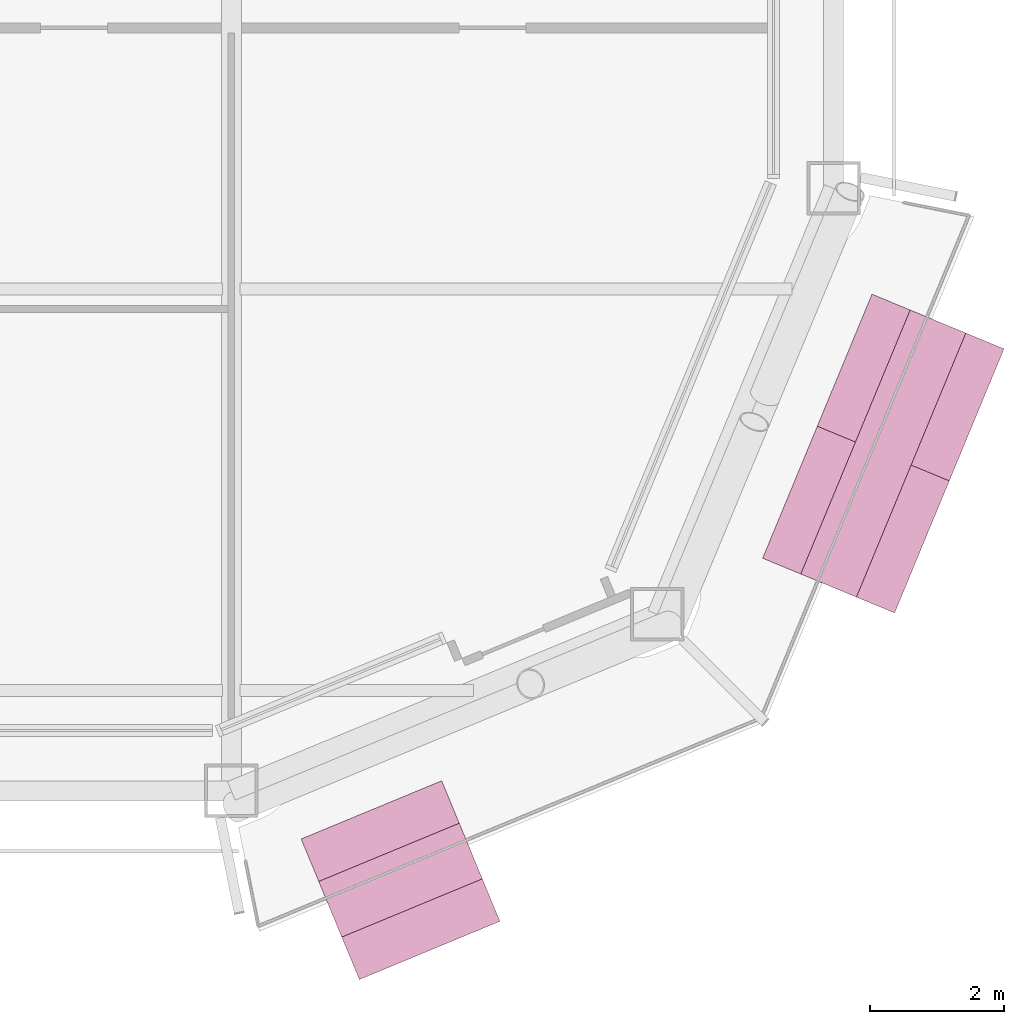
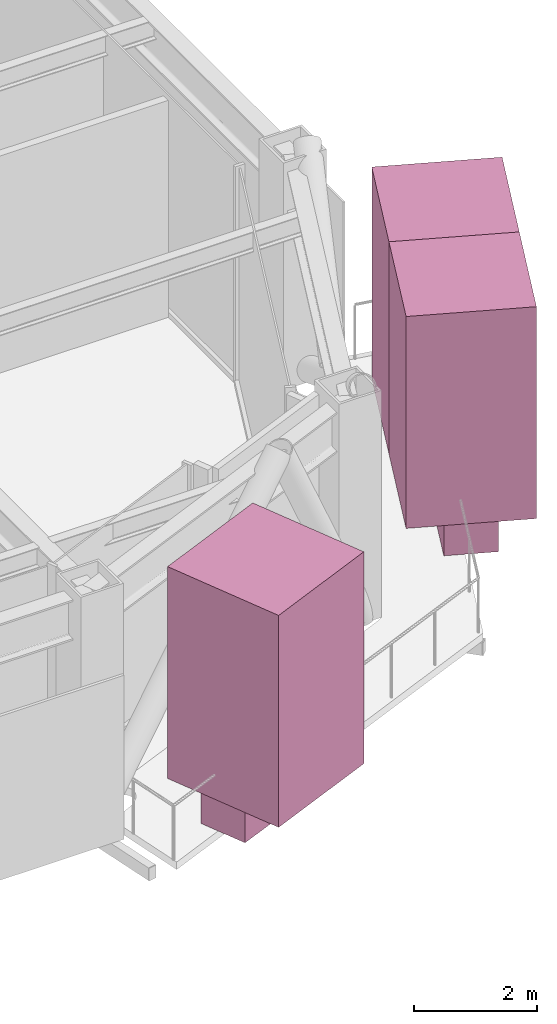
# One storey, part 23 of 23: 5 furnishings.
"""IFC4 building model written with IfcOpenShell, lengths in metres."""

from ifc_helpers import new_model, si_unit, direction, frame, origin, origin_2d, place, context, subcontext, project, spatial, rectangle, extrude, material, type_object, element, save


model = new_model("IFC4")

# Units and contexts
model_context = context("Model", 3, precision=1e-05, world=origin(), true_north=direction((0.0, 1.0)))
body_context = subcontext(model_context, "Body", "Model", "MODEL_VIEW")
ifc_project = project(units=[si_unit("LENGTHUNIT", "METRE"), si_unit("AREAUNIT", "SQUARE_METRE"), si_unit("VOLUMEUNIT", "CUBIC_METRE"), si_unit("PLANEANGLEUNIT", "RADIAN"), si_unit("MASSUNIT", "GRAM", prefix="KILO")], contexts=[model_context])

# Site, building, storey
site_placement = place(None, origin())
site = spatial("IfcSite", under=ifc_project, at=site_placement, CompositionType="ELEMENT")
building_placement = place(site_placement, origin())
building = spatial("IfcBuilding", under=site, at=building_placement, Name="Siwar Civic Tower", CompositionType="ELEMENT")
storey_placement = place(building_placement, frame((0.0, 0.0, 273.699951171875)))
storey = spatial("IfcBuildingStorey", under=building, at=storey_placement, Name="L59", CompositionType="ELEMENT", Elevation=273.699951171875)

# Furnishings
ifc_material_1 = material(Name="Planting soil and foliage")
furnishing_element_type_1 = type_object("IfcFurnishingElementType", Name="ENV-PLANTER", material=ifc_material_1)
furnishing_1_placement = place(storey_placement, frame((20.5283203125, -28.333984375, 0.0), z_axis=(0.0, 0.0, 1.0), x_axis=(0.923879532511, 0.382683432365, 0.0)))
element("IfcFurnishingElement", 1, at=furnishing_1_placement, inside=storey, type_object=furnishing_element_type_1, Name="PLANTER SE 1", context=body_context, shape_type="SweptSolid", body=[
    extrude(rectangle(XDim=2.273193359375, YDim=0.89990234375, at=origin_2d()), origin(), (0.0, 0.0, 1.0), 0.60009765625),
])
furnishing_2_placement = place(storey_placement, frame((27.740966796875, -21.960205078125, 0.0), z_axis=(0.0, 0.0, 1.0), x_axis=(0.382683432365, 0.923879532511, 0.0)))
element("IfcFurnishingElement", 2, at=furnishing_2_placement, inside=storey, type_object=furnishing_element_type_1, Name="PLANTER SE 2", context=body_context, shape_type="SweptSolid", body=[
    extrude(rectangle(XDim=4.270751953125, YDim=0.89990234375, at=origin_2d()), origin(), (0.0, 0.0, 1.0), 0.60009765625),
])
ifc_material_2 = material(Name="Planting soil and foliage")
furnishing_element_type_2 = type_object("IfcFurnishingElementType", Name="ENV-TREE", material=ifc_material_2)
furnishing_3_placement = place(storey_placement, frame((20.5283203125, -28.333984375, 0.60009765625), z_axis=(0.0, 0.0, 1.0), x_axis=(0.923879532511, 0.382683432365, 0.0)))
element("IfcFurnishingElement", 3, at=furnishing_3_placement, inside=storey, type_object=furnishing_element_type_2, Name="PLANTER (TREE) SE 1.1", context=body_context, shape_type="SweptSolid", body=[
    extrude(rectangle(XDim=2.273193359375, YDim=2.273193359375, at=origin_2d()), origin(), (0.0, 0.0, 1.0), 4.199951171875),
])
for number, where, z_axis, x_axis, name in (
    (4, (27.332275390625, -22.94677734375, 0.60009765625), (0.0, 0.0, 1.0), (0.382683432365, 0.923879532511, 0.0), "PLANTER (TREE) SE 2.1"),
    (5, (28.1494140625, -20.973876953125, 0.60009765625), (0.0, 0.0, 1.0), (0.382683432365, 0.923879532511, 0.0), "PLANTER (TREE) SE 2.2"),
):
    element("IfcFurnishingElement", number, at=place(storey_placement, frame(where, z_axis=z_axis, x_axis=x_axis)), inside=storey, type_object=furnishing_element_type_2, Name=name, context=body_context, shape_type="SweptSolid", body=[
        extrude(rectangle(XDim=2.13525390625, YDim=2.13525390625, at=origin_2d()), origin(), (0.0, 0.0, 1.0), 4.199951171875),
    ])

save(model, "model.ifc")
